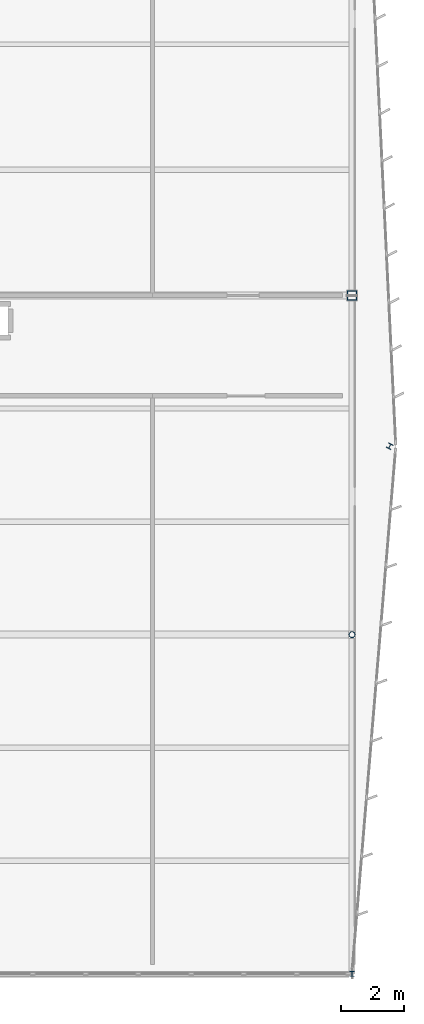
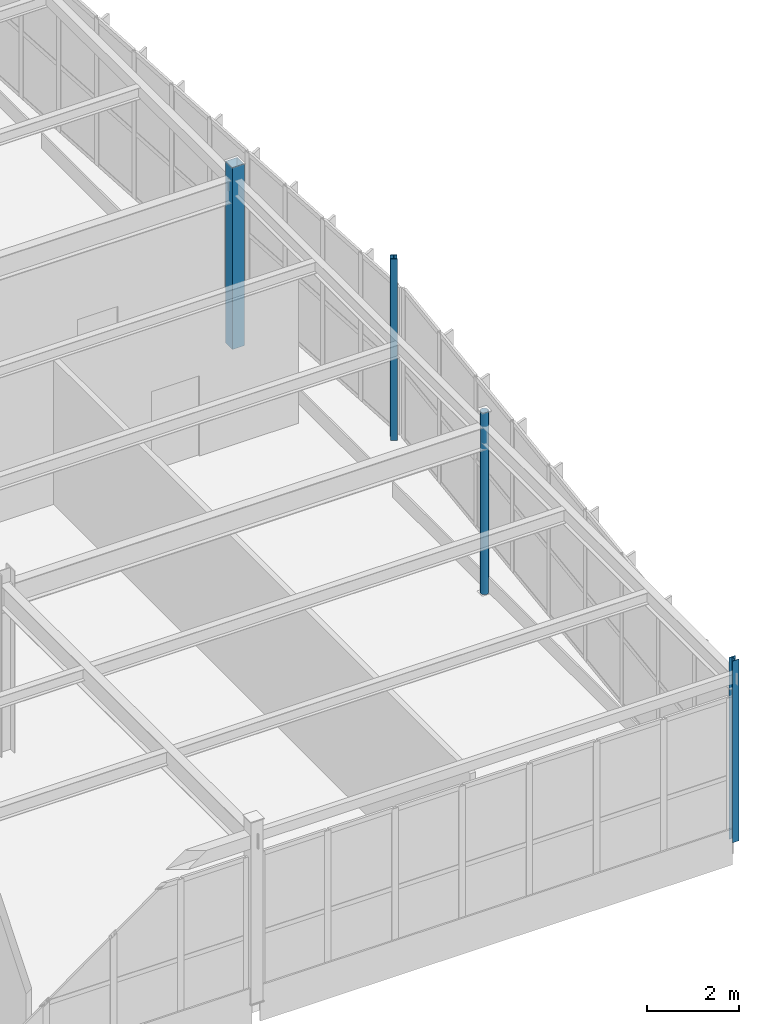
# One storey, part 42 of 186: 4 columns.
"""IFC4 building model written with IfcOpenShell, lengths in metres."""

from ifc_helpers import new_model, si_unit, direction, frame, origin, origin_2d, place, context, subcontext, project, spatial, hollow_rectangle, hollow_circle, i_section, extrude, material, material_profile, profile_set, type_object, element, save


model = new_model("IFC4")

# Units and contexts
model_context = context("Model", 3, precision=1e-05, world=origin(), true_north=direction((0.0, 1.0)))
body_context = subcontext(model_context, "Body", "Model", "MODEL_VIEW")
ifc_project = project(units=[si_unit("LENGTHUNIT", "METRE"), si_unit("AREAUNIT", "SQUARE_METRE"), si_unit("VOLUMEUNIT", "CUBIC_METRE"), si_unit("PLANEANGLEUNIT", "RADIAN"), si_unit("MASSUNIT", "GRAM", prefix="KILO")], contexts=[model_context])

# Site, building, storey
site_placement = place(None, origin())
site = spatial("IfcSite", under=ifc_project, at=site_placement, CompositionType="ELEMENT")
building_placement = place(site_placement, origin())
building = spatial("IfcBuilding", under=site, at=building_placement, Name="Tarnwether General Hospital", CompositionType="ELEMENT")
storey_placement = place(building_placement, frame((0.0, 0.0, 9.60009765625)))
storey = spatial("IfcBuildingStorey", under=building, at=storey_placement, Name="L02", CompositionType="ELEMENT", Elevation=9.60009765625)

# Columns
ifc_material_1 = material(Name="Steel Grade 350 (350 MPa)", Category="steel")
ifc_material_profile_1 = material_profile(ifc_material_1, i_section(OverallWidth=0.154052734375, OverallDepth=0.162109375, WebThickness=0.008056640625, FlangeThickness=0.011474609375, at=origin_2d()), Name="150UC37.2")
ifc_profile_set_1 = profile_set([ifc_material_profile_1], Name="Steel Grade 350 (350 MPa)")
column_type_1 = type_object("IfcColumnType", Name="COL-28", PredefinedType="COLUMN", material=ifc_profile_set_1)
for number, where, z_axis, x_axis, name in (
    (1, (192.0, 0.0, 0.0), (0.0, 0.0, 1.0), (1.0, 0.0, 0.0), "Column COLG-L02-19200_0"),
    (2, (193.199951171875, 16.800048828125, 0.0), (0.0, 0.0, 1.0), (0.882947592859, -0.469471562786, 0.0), "Column COLG-L02-19320_1680"),
):
    element("IfcColumn", number, at=place(storey_placement, frame(where, z_axis=z_axis, x_axis=x_axis)), inside=storey, type_object=column_type_1, Name=name, PredefinedType="COLUMN", context=body_context, shape_type="SweptSolid", body=[
        extrude(i_section(OverallWidth=0.154052734375, OverallDepth=0.162109375, WebThickness=0.008056640625, FlangeThickness=0.011474609375, at=origin_2d()), origin(), (0.0, 0.0, 1.0), 4.7998046875),
    ])
ifc_material_2 = material(Name="Steel Grade C350L0 (350 MPa)", Category="steel")
ifc_material_profile_2 = material_profile(ifc_material_2, hollow_circle(Radius=0.096923828125, WallThickness=0.008056640625, at=origin_2d()), Name="CHS193.7x8.0")
ifc_profile_set_2 = profile_set([ifc_material_profile_2], Name="Steel Grade C350L0 (350 MPa)")
column_type_2 = type_object("IfcColumnType", Name="COL-29", PredefinedType="COLUMN", material=ifc_profile_set_2)
column_1_placement = place(storey_placement, frame((192.0, 10.800048828125, 0.0), z_axis=(0.0, 0.0, 1.0), x_axis=(1.0, 0.0, 0.0)))
element("IfcColumn", 3, at=column_1_placement, inside=storey, type_object=column_type_2, Name="Column COLG-L02-19200_1080", PredefinedType="COLUMN", context=body_context, shape_type="SweptSolid", body=[
    extrude(hollow_circle(Radius=0.096923828125, WallThickness=0.008056640625, at=origin_2d()), origin(), (0.0, 0.0, 1.0), 4.7998046875),
])
ifc_material_3 = material(Name="Steel Grade C350L0 (350 MPa)", Category="steel")
ifc_material_profile_3 = material_profile(ifc_material_3, hollow_rectangle(XDim=0.300048828125, YDim=0.300048828125, WallThickness=0.012451171875, at=origin_2d()), Name="SHS300x300x12.5")
ifc_profile_set_3 = profile_set([ifc_material_profile_3], Name="Steel Grade C350L0 (350 MPa)")
column_type_3 = type_object("IfcColumnType", Name="COL-30", PredefinedType="COLUMN", material=ifc_profile_set_3)
column_2_placement = place(storey_placement, frame((192.0, 21.60009765625, 0.0), z_axis=(0.0, 0.0, 1.0), x_axis=(1.0, 0.0, 0.0)))
element("IfcColumn", 4, at=column_2_placement, inside=storey, type_object=column_type_3, Name="Column COLG-L02-19200_2160", PredefinedType="COLUMN", context=body_context, shape_type="SweptSolid", body=[
    extrude(hollow_rectangle(XDim=0.300048828125, YDim=0.300048828125, WallThickness=0.012451171875, at=origin_2d()), origin(), (0.0, 0.0, 1.0), 4.7998046875),
])

save(model, "model.ifc")
